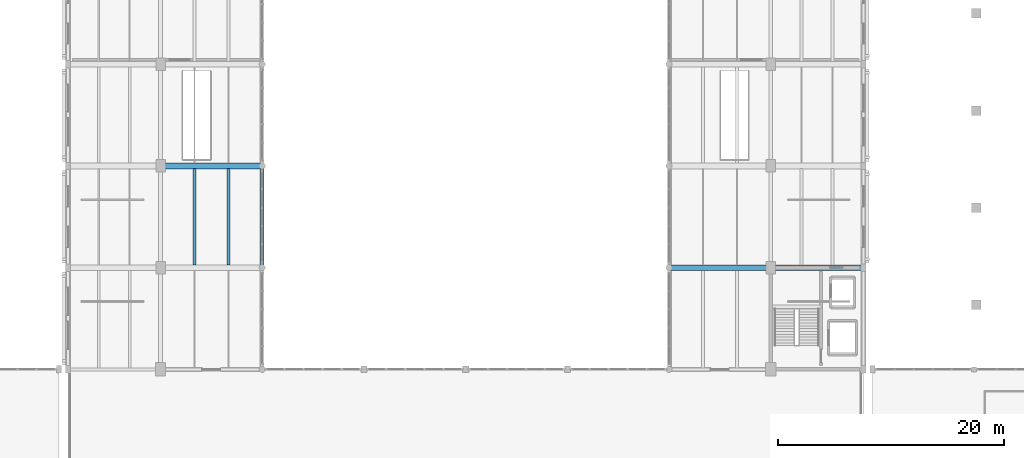
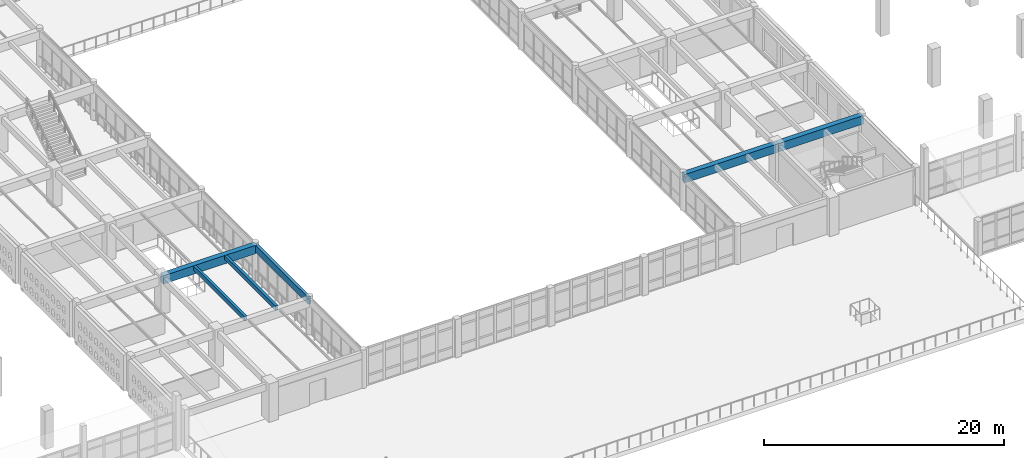
# One storey, part 31 of 156: 6 beams.
"""IFC4 building model written with IfcOpenShell, lengths in metres."""

import ifcopenshell
import ifcopenshell.guid

model = None  # the IFC model being written
_history = None  # IfcOwnerHistory: only IFC2X3 demands one
_inside = {}  # id of a spatial element -> (the spatial element, [elements in it])
_under = {}  # id of a project, library or spatial element -> (it, [spatial elements below it])
_declared = {}  # id of a project -> (the project, [libraries it declares])
_typed = {}  # id of a type object -> (the type object, [elements of that type])
_made_of = {}  # id of a material, layer set ... -> (it, [elements and type objects made of it])


def new_model(schema):
    """Start an empty IFC model of exactly this schema.

    Asked for "IFC4X3", IfcOpenShell would pick the latest addendum, in which some entities
    have other attributes; the version numbers below select the first issue.
    IFC2X3 requires an IfcOwnerHistory on every rooted entity: one is made here for all.
    """
    global model, _history
    if schema == "IFC4X3":
        model = ifcopenshell.file(schema_version=(4, 3, 0, 0))
    else:
        model = ifcopenshell.file(schema=schema)
    _inside.clear()
    _under.clear()
    _declared.clear()
    _typed.clear()
    _made_of.clear()
    _history = None
    if model.schema == "IFC2X3":
        org = make("IfcOrganization", Name="unknown")
        user = make(
            "IfcPersonAndOrganization",
            ThePerson=make("IfcPerson", FamilyName="unknown"),
            TheOrganization=org,
        )
        app = make(
            "IfcApplication",
            ApplicationDeveloper=org,
            Version="unknown",
            ApplicationFullName="unknown",
            ApplicationIdentifier="unknown",
        )
        _history = make(
            "IfcOwnerHistory",
            OwningUser=user,
            OwningApplication=app,
            ChangeAction="ADDED",
            CreationDate=0,
        )
    return model


def make(cls, **values):
    """One entity of the class cls with the attributes given. An attribute that is None is left unset."""
    return model.create_entity(
        cls, **{name: value for name, value in values.items() if value is not None}
    )


def rooted(cls, **values):
    """An entity with a GlobalId (a new one), such as an element, a storey or a relation."""
    return make(cls, GlobalId=ifcopenshell.guid.new(), OwnerHistory=_history, **values)


def si_unit(unit_type, name, prefix=None):
    """IfcSIUnit, for example si_unit("LENGTHUNIT", "METRE", prefix="MILLI")."""
    return make("IfcSIUnit", UnitType=unit_type, Prefix=prefix, Name=name)


def assignment(units):
    """IfcUnitAssignment: the units of a project."""
    return None if units is None else make("IfcUnitAssignment", Units=units)


def point(xyz):
    """IfcCartesianPoint."""
    return None if xyz is None else make("IfcCartesianPoint", Coordinates=xyz)


def direction(xyz):
    """IfcDirection."""
    return None if xyz is None else make("IfcDirection", DirectionRatios=xyz)


def frame(location, z_axis=None, x_axis=None):
    """IfcAxis2Placement3D, a coordinate frame: its origin and axes. An axis left out is left unset."""
    return make(
        "IfcAxis2Placement3D",
        Location=point(location),
        Axis=direction(z_axis),
        RefDirection=direction(x_axis),
    )


def frame_2d(location, x_axis=None):
    """IfcAxis2Placement2D, a coordinate frame in the plane: its origin and x axis."""
    return make(
        "IfcAxis2Placement2D", Location=point(location), RefDirection=direction(x_axis)
    )


def origin():
    """The frame at (0, 0, 0) with its axes left unset."""
    return frame((0.0, 0.0, 0.0))


def origin_2d():
    """The frame at (0, 0) in the plane with its x axis left unset."""
    return frame_2d((0.0, 0.0))


def place(relative_to, where):
    """IfcLocalPlacement: puts the frame where relative to a parent placement (None: the world)."""
    return make(
        "IfcLocalPlacement", PlacementRelTo=relative_to, RelativePlacement=where
    )


def context(
    kind, dimensions, precision=None, world=None, true_north=None, identifier=None
):
    """IfcGeometricRepresentationContext, for example the 3D "Model" context."""
    return make(
        "IfcGeometricRepresentationContext",
        ContextIdentifier=identifier,
        ContextType=kind,
        CoordinateSpaceDimension=dimensions,
        Precision=precision,
        WorldCoordinateSystem=world,
        TrueNorth=true_north,
    )


def subcontext(parent, identifier, kind, view, scale=None):
    """IfcGeometricRepresentationSubContext, for example "Body" below "Model"."""
    return make(
        "IfcGeometricRepresentationSubContext",
        ContextIdentifier=identifier,
        ContextType=kind,
        ParentContext=parent,
        TargetScale=scale,
        TargetView=view,
    )


def project(units=None, contexts=None):
    """IfcProject with its units and contexts."""
    return rooted(
        "IfcProject",
        Name="project",
        RepresentationContexts=contexts,
        UnitsInContext=assignment(units),
    )


def spatial(cls, under=None, at=None, **own):
    """A site, building, storey or space (cls), placed at a placement, below another one or the project."""
    s = rooted(cls, ObjectPlacement=at, **own)
    if under is not None:
        _under.setdefault(under.id(), (under, []))[1].append(s)
    return s


def profile(cls, at=None, kind="AREA", **sizes):
    """A parametric profile (cls). Its sizes go by their IFC names, for example OverallWidth=200.0."""
    return make(cls, ProfileType=kind, Position=at, **sizes)


def rectangle(**sizes):
    """IfcRectangleProfileDef."""
    return profile("IfcRectangleProfileDef", **sizes)


def extrude(swept, where, along, depth):
    """IfcExtrudedAreaSolid: the profile swept, set in the frame where, extruded along a direction by depth."""
    return make(
        "IfcExtrudedAreaSolid",
        SweptArea=swept,
        Position=where,
        ExtrudedDirection=direction(along),
        Depth=depth,
    )


def shape(context_of_items, identifier, shape_type, items):
    """IfcShapeRepresentation: the items that make up one representation, for example the "Body"."""
    return make(
        "IfcShapeRepresentation",
        ContextOfItems=context_of_items,
        RepresentationIdentifier=identifier,
        RepresentationType=shape_type,
        Items=items,
    )


def material(Name=None, Category=None):
    """IfcMaterial."""
    return make("IfcMaterial", Name=Name, Category=Category)


def material_profile(
    of_material, cross_section, Name=None, Category=None, Priority=None
):
    """IfcMaterialProfile: a cross section and its material."""
    return make(
        "IfcMaterialProfile",
        Name=Name,
        Material=of_material,
        Profile=cross_section,
        Priority=Priority,
        Category=Category,
    )


def profile_set(profiles, Name=None, composite=None):
    """IfcMaterialProfileSet."""
    return make(
        "IfcMaterialProfileSet",
        Name=Name,
        MaterialProfiles=profiles,
        CompositeProfile=composite,
    )


def made_of(thing, what):
    """Note that an element or type object is made of a material, layer set ...; save() writes the relation."""
    if what is not None:
        _made_of.setdefault(what.id(), (what, []))[1].append(thing)
    return thing


def type_object(cls, material=None, **own):
    """A type object (cls), such as IfcWallType, which elements share."""
    return made_of(rooted(cls, **own), material)


def element(
    cls,
    number,
    at=None,
    inside=None,
    cuts=None,
    type_object=None,
    material=None,
    context=None,
    identifier="Body",
    shape_type=None,
    held_by="IfcProductDefinitionShape",
    body=None,
    shapes=None,
    **own,
):
    """One element of the class cls, such as IfcWall. Its Tag is "e" and its number.

    at: its placement. inside: the storey or other place that contains it. cuts: it is an
    opening in that element (IfcRelVoidsElement). A single representation is given by context,
    identifier, shape_type and body (its items); several are given by shapes. held_by: the class
    of the entity that holds the representations. save() writes the other relations.
    """
    e = rooted(cls, Tag="e%d" % number, ObjectPlacement=at, **own)
    if body is not None:
        shapes = [shape(context, identifier, shape_type, body)]
    if shapes is not None:
        e.Representation = make(held_by, Representations=shapes)
    if inside is not None:
        _inside.setdefault(inside.id(), (inside, []))[1].append(e)
    if cuts is not None:
        rooted(
            "IfcRelVoidsElement", RelatingBuildingElement=cuts, RelatedOpeningElement=e
        )
    if type_object is not None:
        _typed.setdefault(type_object.id(), (type_object, []))[1].append(e)
    return made_of(e, material)


def aggregate(whole, parts):
    """IfcRelAggregates: a whole, such as a stair, and the parts it consists of."""
    return rooted("IfcRelAggregates", RelatingObject=whole, RelatedObjects=parts)


def save(model, path):
    """Write the relations noted so far, then the file.

    IfcRelAggregates (storeys below a building ...), IfcRelContainedInSpatialStructure (elements
    in a storey), IfcRelDefinesByType, IfcRelAssociatesMaterial and IfcRelDeclares: one each for
    every whole, place, type object, material and project.
    """
    for whole, parts in _under.values():
        aggregate(whole, parts)
    for where, things in _inside.values():
        rooted(
            "IfcRelContainedInSpatialStructure",
            RelatedElements=things,
            RelatingStructure=where,
        )
    for kind, things in _typed.values():
        rooted("IfcRelDefinesByType", RelatedObjects=things, RelatingType=kind)
    for what, things in _made_of.values():
        rooted("IfcRelAssociatesMaterial", RelatedObjects=things, RelatingMaterial=what)
    for by, libraries in _declared.values():
        rooted("IfcRelDeclares", RelatingContext=by, RelatedDefinitions=libraries)
    model.write(path)


model = new_model("IFC4")

# Units and contexts
model_context = context("Model", 3, precision=1e-05, world=origin(), true_north=direction((0.0, 1.0)))
body_context = subcontext(model_context, "Body", "Model", "MODEL_VIEW")
ifc_project = project(units=[si_unit("LENGTHUNIT", "METRE"), si_unit("AREAUNIT", "SQUARE_METRE"), si_unit("VOLUMEUNIT", "CUBIC_METRE"), si_unit("PLANEANGLEUNIT", "RADIAN"), si_unit("MASSUNIT", "GRAM", prefix="KILO")], contexts=[model_context])

# Site, building, storey
site_placement = place(None, origin())
site = spatial("IfcSite", under=ifc_project, at=site_placement, CompositionType="ELEMENT")
building_placement = place(site_placement, origin())
building = spatial("IfcBuilding", under=site, at=building_placement, Name="Ornek Quay Market", CompositionType="ELEMENT")
storey_placement = place(building_placement, frame((0.0, 0.0, 4.5)))
storey = spatial("IfcBuildingStorey", under=building, at=storey_placement, Name="L01", CompositionType="ELEMENT", Elevation=4.5)

# Beams
ifc_material_1 = material(Name="Concrete C40/50", Category="concrete")
ifc_material_profile_1 = material_profile(ifc_material_1, rectangle(XDim=0.5, YDim=0.85009765625, at=origin_2d()), Name="RC 500x850", Category="concrete")
ifc_profile_set_1 = profile_set([ifc_material_profile_1], Name="Concrete C40/50")
beam_type_1 = type_object("IfcBeamType", Name="BM-GAL-500x850", PredefinedType="BEAM", material=ifc_profile_set_1)
for number, where, z_axis, x_axis, name in (
    (1, (63.0, 47.0, 3.235107421875), (1.0, 0.0, 0.0), (0.0, 1.0, 0.0), "Primary beam B-GL1-068"),
    (2, (108.0, 38.0, 3.235107421875), (1.0, 0.0, 0.0), (0.0, 1.0, 0.0), "Primary beam B-GL1-079"),
):
    element("IfcBeam", number, at=place(storey_placement, frame(where, z_axis=z_axis, x_axis=x_axis)), inside=storey, type_object=beam_type_1, Name=name, PredefinedType="BEAM", context=body_context, shape_type="SweptSolid", body=[
        extrude(rectangle(XDim=0.5, YDim=0.85009765625, at=origin_2d()), origin(), (0.0, 0.0, 1.0), 9.0),
    ])
beam_1_placement = place(storey_placement, frame((117.0, 38.0, 3.235107421875), z_axis=(1.0, 0.0, 0.0), x_axis=(0.0, 1.0, 0.0)))
element("IfcBeam", 3, at=beam_1_placement, inside=storey, type_object=beam_type_1, Name="Primary beam B-GL1-080", PredefinedType="BEAM", context=body_context, shape_type="SweptSolid", body=[
    extrude(rectangle(XDim=0.5, YDim=0.85009765625, at=origin_2d()), origin(), (0.0, 0.0, 1.0), 8.199951171875),
])
ifc_material_2 = material(Name="Concrete C35/45", Category="concrete")
ifc_material_profile_2 = material_profile(ifc_material_2, rectangle(XDim=0.25, YDim=0.449951171875, at=origin_2d()), Name="RC 250x450", Category="concrete")
ifc_profile_set_2 = profile_set([ifc_material_profile_2], Name="Concrete C35/45")
beam_type_2 = type_object("IfcBeamType", Name="BM-SEC-250x450", PredefinedType="JOIST", material=ifc_profile_set_2)
for number, where, z_axis, x_axis, name in (
    (4, (66.0, 38.241943359375, 3.43505859375), (0.0, 1.0, 0.0), (-1.0, 0.0, 0.0), "Secondary joist B-SC3-017"),
    (5, (69.0, 38.241943359375, 3.43505859375), (0.0, 1.0, 0.0), (-1.0, 0.0, 0.0), "Secondary joist B-SC3-018"),
):
    element("IfcBeam", number, at=place(storey_placement, frame(where, z_axis=z_axis, x_axis=x_axis)), inside=storey, type_object=beam_type_2, Name=name, PredefinedType="JOIST", context=body_context, shape_type="SweptSolid", body=[
        extrude(rectangle(XDim=0.25, YDim=0.449951171875, at=origin_2d()), origin(), (0.0, 0.0, 1.0), 8.51611328125),
    ])
ifc_material_profile_3 = material_profile(ifc_material_2, rectangle(XDim=0.280029296875, YDim=0.699951171875, at=origin_2d()), Name="RC 280x700", Category="concrete")
ifc_profile_set_3 = profile_set([ifc_material_profile_3], Name="Concrete C35/45")
beam_type_3 = type_object("IfcBeamType", Name="BM-SPN-280x700", PredefinedType="SPANDREL", material=ifc_profile_set_3)
beam_2_placement = place(storey_placement, frame((72.0, 38.0, 3.31005859375), z_axis=(0.0, 1.0, 0.0), x_axis=(-1.0, 0.0, 0.0)))
element("IfcBeam", 6, at=beam_2_placement, inside=storey, type_object=beam_type_3, Name="Primary beam B-SP2-062", PredefinedType="SPANDREL", context=body_context, shape_type="SweptSolid", body=[
    extrude(rectangle(XDim=0.280029296875, YDim=0.699951171875, at=origin_2d()), origin(), (0.0, 0.0, 1.0), 9.0),
])

save(model, "model.ifc")
